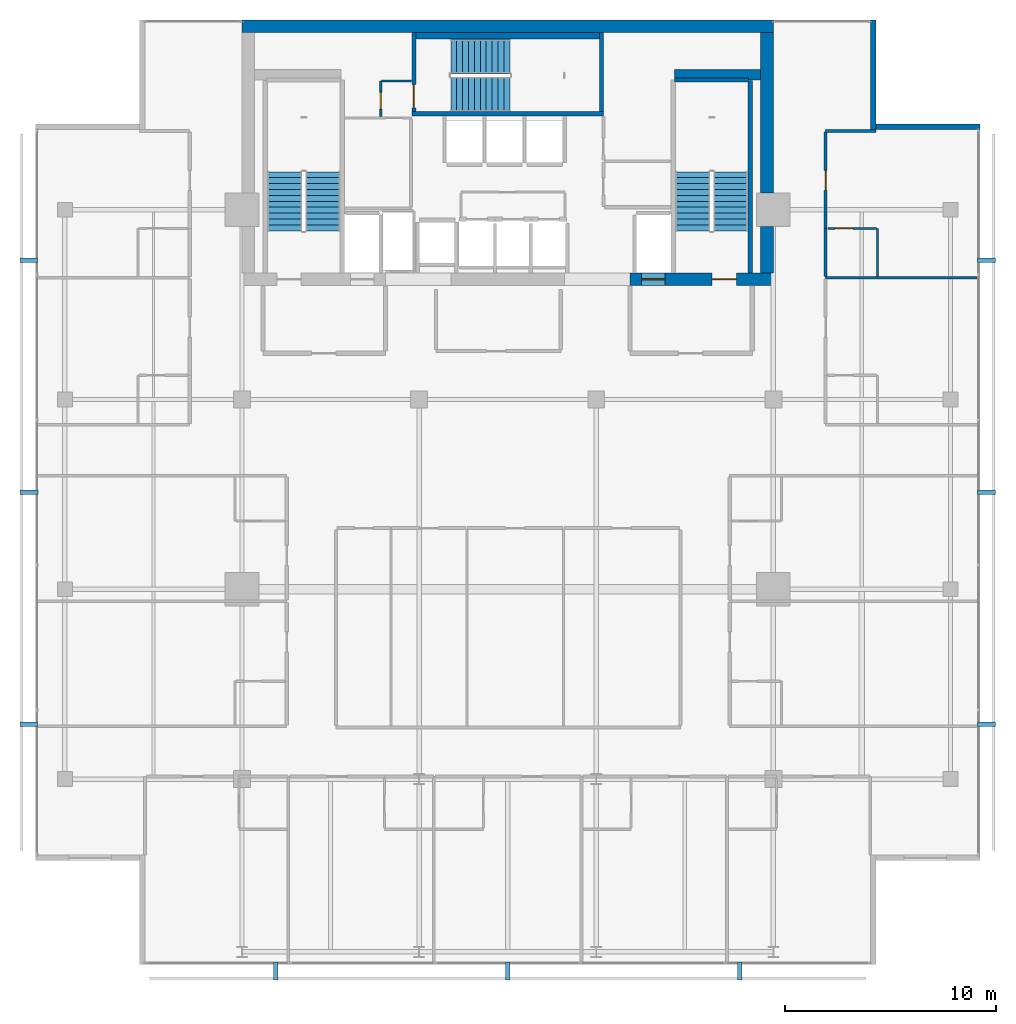
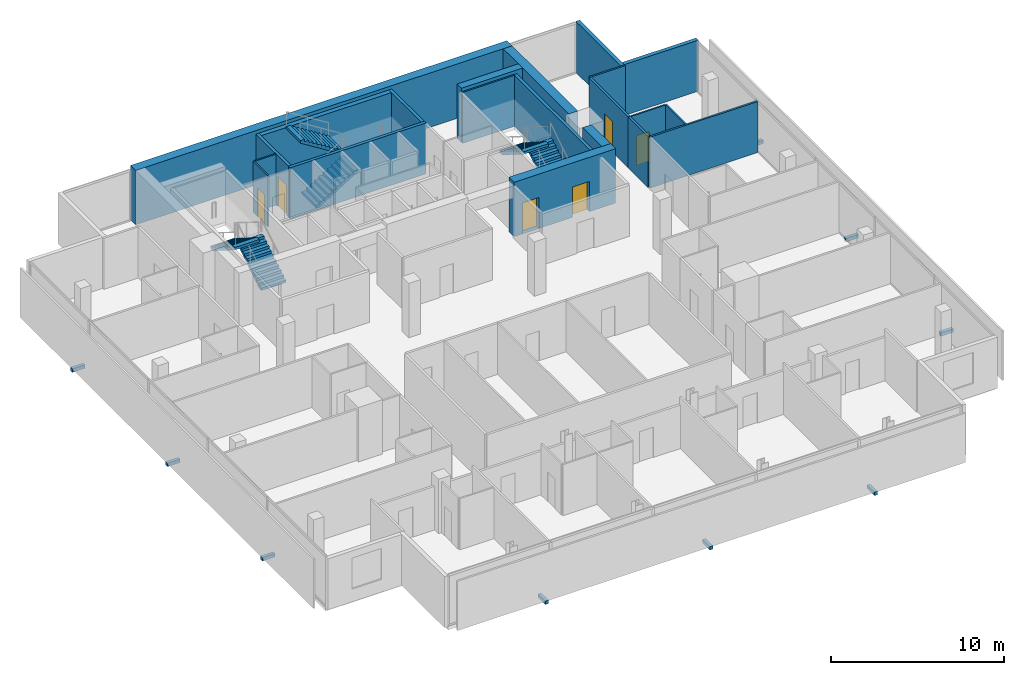
# One storey, part 23 of 25: 21 walls, 9 discrete accessories, 6 doors, 6 stair flights, 6 openings, 3 elements without a shape of their own.
"""IFC4 building model written with IfcOpenShell, lengths in metres."""

from ifc_helpers import new_model, si_unit, direction, frame, frame_2d, origin, origin_2d, place, context, subcontext, project, spatial, polyline, rectangle, outline, extrude, material, layer, layer_set, type_object, element, fill, aggregate, save


model = new_model("IFC4")

# Units and contexts
model_context = context("Model", 3, precision=1e-05, world=origin(), true_north=direction((0.0, 1.0)))
body_context = subcontext(model_context, "Body", "Model", "MODEL_VIEW")
ifc_project = project(units=[si_unit("LENGTHUNIT", "METRE"), si_unit("AREAUNIT", "SQUARE_METRE"), si_unit("VOLUMEUNIT", "CUBIC_METRE"), si_unit("PLANEANGLEUNIT", "RADIAN"), si_unit("MASSUNIT", "GRAM", prefix="KILO")], contexts=[model_context])

# Site, building, storey
site_placement = place(None, origin())
site = spatial("IfcSite", under=ifc_project, at=site_placement, CompositionType="ELEMENT")
building_placement = place(site_placement, origin())
building = spatial("IfcBuilding", under=site, at=building_placement, Name="Maruvema Waterfront Hotel and Observation Tower", CompositionType="ELEMENT")
storey_placement = place(building_placement, frame((0.0, 0.0, 270.199951171875)))
storey = spatial("IfcBuildingStorey", under=building, at=storey_placement, Name="L66", CompositionType="ELEMENT", Elevation=270.199951171875)

# Wall
ifc_material_1 = material(Name="Twin-stud acoustic gypsum drywall", Category="gypsum")
ifc_layer_1 = layer(ifc_material_1, 0.14990234375, Name="Acoustic Corridor and Suite Demising Wall 150 mm")
ifc_layer_set_1 = layer_set([ifc_layer_1], Name="Twin-stud acoustic gypsum drywall")
wall_type_1 = type_object("IfcWallType", Name="Acoustic Corridor and Suite Demising Wall 150 mm", PredefinedType="PARTITIONING", material=ifc_layer_set_1)
wall_1_placement = place(storey_placement, frame((52.8798828125, 41.82861328125, 0.0), z_axis=(0.0, 0.0, 1.0), x_axis=(0.0, 1.0, 0.0)))
element("IfcWall", 1, at=wall_1_placement, inside=storey, type_object=wall_type_1, Name="L66 Bath L66-NE2 Wall 101", PredefinedType="PARTITIONING", context=body_context, shape_type="SweptSolid", body=[
    extrude(rectangle(XDim=2.2900390625, YDim=0.14990234375, at=frame_2d((1.14501953125, 0.0))), origin(), (0.0, 0.0, 1.0), 3.610107421875),
])

# Wall, opening, door
wall_2_placement = place(storey_placement, frame((52.8798828125, 44.11865234375, 0.0), z_axis=(0.0, 0.0, 1.0), x_axis=(0.0, 1.0, 0.0)))
wall_2 = element("IfcWall", 2, at=wall_2_placement, inside=storey, type_object=wall_type_1, Name="L66 Room L66-NE2 Corridor Wall 102", PredefinedType="PARTITIONING", context=body_context, shape_type="SweptSolid", body=[
    extrude(rectangle(XDim=4.558837890625, YDim=0.14990234375, at=frame_2d((2.279296875, 0.0))), origin(), (0.0, 0.0, 1.0), 3.610107421875),
])
opening_1_placement = place(wall_2_placement, frame((1.804443359375, 0.0, 0.0)))
opening_1 = element("IfcOpeningElement", 3, at=opening_1_placement, cuts=wall_2, Name="Opening DR-095", PredefinedType="OPENING", context=body_context, shape_type="SweptSolid", body=[
    extrude(rectangle(XDim=0.949951171875, YDim=2.14990234375, at=frame_2d((0.47509765625, 1.074951171875))), frame((0.0, 0.0849609375, 0.0), z_axis=(0.0, -1.0, 0.0), x_axis=(1.0, 0.0, 0.0)), (0.0, 0.0, 1.0), 0.169921875),
])
ifc_material_2 = material(Name="Acoustic solid-core hardwood timber leaf", Category="wood")
door_type_1 = type_object("IfcDoorType", Name="Guestroom Entrance Fire Door 950x2150 mm", OperationType="NOTDEFINED", PredefinedType="DOOR", material=ifc_material_2)
door_1_placement = place(opening_1_placement, frame((0.949951171875, 0.0, 0.0), z_axis=(0.0, 0.0, 1.0), x_axis=(-1.0, 0.0, 0.0)))
door_1 = element("IfcDoor", 4, at=door_1_placement, inside=storey, type_object=door_type_1, Name="L66 Room L66-NE2 Entrance Door", OperationType="SINGLE_SWING_LEFT", OverallHeight=2.14990234375, OverallWidth=0.949951171875, PredefinedType="DOOR", context=body_context, shape_type="SweptSolid", body=[
    extrude(rectangle(XDim=0.949951171875, YDim=2.14990234375, at=frame_2d((0.47509765625, 1.074951171875))), frame((0.0, 0.02490234375, 0.0), z_axis=(0.0, -1.0, 0.0), x_axis=(1.0, 0.0, 0.0)), (0.0, 0.0, 1.0), 0.050048828125),
])
fill(opening_1, door_1)

# Walls
ifc_material_3 = material(Name="Precast concrete C45/55", Category="concrete")
ifc_layer_2 = layer(ifc_material_3, 0.300048828125, Name="Core Shaft Furring Wall 300 mm")
ifc_layer_set_2 = layer_set([ifc_layer_2], Name="Precast concrete C45/55")
wall_type_2 = type_object("IfcWallType", Name="Core Shaft Furring Wall 300 mm", PredefinedType="SOLIDWALL", material=ifc_layer_set_2)
wall_3_placement = place(storey_placement, frame((33.449951171875, 53.25, 0.0), z_axis=(0.0, 0.0, 1.0), x_axis=(1.0, 0.0, 0.0)))
element("IfcWall", 5, at=wall_3_placement, inside=storey, type_object=wall_type_2, Name="L66 Stairwell ST-02 North Furring Wall", PredefinedType="SOLIDWALL", context=body_context, shape_type="SweptSolid", body=[
    extrude(rectangle(XDim=8.699951171875, YDim=0.300048828125, at=frame_2d((4.35009765625, 0.0))), origin(), (0.0, 0.0, 1.0), 3.610107421875),
])
ifc_material_4 = material(Name="Precast concrete C45/55", Category="concrete")
ifc_layer_3 = layer(ifc_material_4, 0.199951171875, Name="Core Shaft and Stairwell Enclosure Wall 200 mm")
ifc_layer_set_3 = layer_set([ifc_layer_3], Name="Precast concrete C45/55")
wall_type_3 = type_object("IfcWallType", Name="Core Shaft and Stairwell Enclosure Wall 200 mm", PredefinedType="SOLIDWALL", material=ifc_layer_set_3)
wall_4_placement = place(storey_placement, frame((33.25, 49.550048828125, 0.0), z_axis=(0.0, 0.0, 1.0), x_axis=(1.0, 0.0, 0.0)))
element("IfcWall", 6, at=wall_4_placement, inside=storey, type_object=wall_type_3, Name="L66 Stairwell ST-02 Shaft Wall", PredefinedType="SOLIDWALL", context=body_context, shape_type="SweptSolid", body=[
    extrude(rectangle(XDim=9.10009765625, YDim=0.199951171875, at=frame_2d((4.550048828125, 0.0))), origin(), (0.0, 0.0, 1.0), 3.610107421875),
])
wall_5_placement = place(storey_placement, frame((42.25, 49.64990234375, 0.0), z_axis=(0.0, 0.0, 1.0), x_axis=(0.0, 1.0, 0.0)))
element("IfcWall", 7, at=wall_5_placement, inside=storey, type_object=wall_type_3, Name="L66 Stairwell ST-02 Shaft Wall", PredefinedType="SOLIDWALL", context=body_context, shape_type="SweptSolid", body=[
    extrude(rectangle(XDim=3.75, YDim=0.199951171875, at=frame_2d((1.875, 0.0))), origin(), (0.0, 0.0, 1.0), 3.610107421875),
])

# Wall, opening, door
wall_6_placement = place(storey_placement, frame((33.35009765625, 49.64990234375, 0.0), z_axis=(0.0, 0.0, 1.0), x_axis=(0.0, 1.0, 0.0)))
wall_6 = element("IfcWall", 8, at=wall_6_placement, inside=storey, type_object=wall_type_3, Name="L66 Stairwell ST-02 Shaft Wall", PredefinedType="SOLIDWALL", context=body_context, shape_type="SweptSolid", body=[
    extrude(rectangle(XDim=3.75, YDim=0.199951171875, at=frame_2d((1.875, 0.0))), origin(), (0.0, 0.0, 1.0), 3.610107421875),
])
opening_2_placement = place(wall_6_placement, frame((0.179931640625, 0.0, 0.0)))
opening_2 = element("IfcOpeningElement", 9, at=opening_2_placement, cuts=wall_6, Name="Opening SD-02", PredefinedType="OPENING", context=body_context, shape_type="SweptSolid", body=[
    extrude(rectangle(XDim=1.10009765625, YDim=2.14990234375, at=frame_2d((0.550048828125, 1.074951171875))), frame((0.0, 0.10986328125, 0.0), z_axis=(0.0, -1.0, 0.0), x_axis=(1.0, 0.0, 0.0)), (0.0, 0.0, 1.0), 0.219970703125),
])
ifc_material_5 = material(Name="Fire-rated galvanised steel leaf", Category="steel")
door_type_2 = type_object("IfcDoorType", Name="Central Exit Stair Fire Door 1100x2150 mm", OperationType="NOTDEFINED", PredefinedType="DOOR", material=ifc_material_5)
door_2_placement = place(opening_2_placement, frame((1.10009765625, 0.0, 0.0), z_axis=(0.0, 0.0, 1.0), x_axis=(-1.0, 0.0, 0.0)))
door_2 = element("IfcDoor", 10, at=door_2_placement, inside=storey, type_object=door_type_2, Name="L66 Exit Stair ST-02 Fire Door", OperationType="SINGLE_SWING_LEFT", OverallHeight=2.14990234375, OverallWidth=1.10009765625, PredefinedType="DOOR", context=body_context, shape_type="SweptSolid", body=[
    extrude(rectangle(XDim=1.10009765625, YDim=2.14990234375, at=frame_2d((0.550048828125, 1.074951171875))), frame((0.0, 0.02490234375, 0.0), z_axis=(0.0, -1.0, 0.0), x_axis=(1.0, 0.0, 0.0)), (0.0, 0.0, 1.0), 0.050048828125),
])
fill(opening_2, door_2)

# Walls
wall_7_placement = place(storey_placement, frame((49.300048828125, 42.0, 0.0), z_axis=(0.0, 0.0, 1.0), x_axis=(0.0, 1.0, 0.0)))
element("IfcWall", 11, at=wall_7_placement, inside=storey, type_object=wall_type_3, Name="L66 Stairwell ST-03 Shaft Lining Wall", PredefinedType="SOLIDWALL", context=body_context, shape_type="SweptSolid", body=[
    extrude(rectangle(XDim=9.1201171875, YDim=0.199951171875, at=frame_2d((4.56005859375, 0.0))), origin(), (0.0, 0.0, 1.0), 3.610107421875),
])
wall_8_placement = place(storey_placement, frame((45.719970703125, 51.14990234375, 0.0), z_axis=(0.0, 0.0, 1.0), x_axis=(1.0, 0.0, 0.0)))
element("IfcWall", 12, at=wall_8_placement, inside=storey, type_object=wall_type_3, Name="L66 Stairwell ST-03 Shaft Lining Wall", PredefinedType="SOLIDWALL", context=body_context, shape_type="SweptSolid", body=[
    extrude(rectangle(XDim=3.5, YDim=0.199951171875, at=frame_2d((1.75, 0.0))), origin(), (0.0, 0.0, 1.0), 3.610107421875),
])
ifc_material_6 = material(Name="Concrete C70/85", Category="concrete")
ifc_layer_4 = layer(ifc_material_6, 0.5, Name="Core Shear Wall 500 mm")
ifc_layer_set_4 = layer_set([ifc_layer_4], Name="Concrete C70/85")
wall_type_4 = type_object("IfcWallType", Name="Core Shear Wall 500 mm", PredefinedType="SHEAR", material=ifc_layer_set_4)
wall_9_placement = place(storey_placement, frame((45.699951171875, 51.39990234375, 0.0), z_axis=(0.0, 0.0, 1.0), x_axis=(1.0, 0.0, 0.0)))
element("IfcWall", 13, at=wall_9_placement, inside=storey, type_object=wall_type_4, Name="L66 Internal Core Shear Wall NE 500 mm", PredefinedType="SHEAR", context=body_context, shape_type="SweptSolid", body=[
    extrude(rectangle(XDim=4.10009765625, YDim=0.5, at=frame_2d((2.050048828125, 0.0))), origin(), (0.0, 0.0, 1.0), 3.85009765625),
])
ifc_material_7 = material(Name="Concrete C60/75", Category="concrete")
ifc_layer_5 = layer(ifc_material_7, 0.60009765625, Name="Core Shear Wall 600 mm")
ifc_layer_set_5 = layer_set([ifc_layer_5], Name="Concrete C60/75")
wall_type_5 = type_object("IfcWallType", Name="Core Shear Wall 600 mm", PredefinedType="SHEAR", material=ifc_layer_set_5)
wall_10_placement = place(storey_placement, frame((25.199951171875, 53.699951171875, 0.0), z_axis=(0.0, 0.0, 1.0), x_axis=(1.0, 0.0, 0.0)))
element("IfcWall", 14, at=wall_10_placement, inside=storey, type_object=wall_type_5, Name="L66 North Core Shear Wall", PredefinedType="SHEAR", context=body_context, shape_type="SweptSolid", body=[
    extrude(rectangle(XDim=25.199951171875, YDim=0.60009765625, at=frame_2d((12.60009765625, 0.0))), origin(), (0.0, 0.0, 1.0), 3.85009765625),
])

# Wall, openings, doors
wall_11_placement = place(storey_placement, frame((43.60009765625, 41.699951171875, 0.0), z_axis=(0.0, 0.0, 1.0), x_axis=(1.0, 0.0, 0.0)))
wall_11 = element("IfcWall", 15, at=wall_11_placement, inside=storey, type_object=wall_type_5, Name="L66 South-East Core Shear Wall", PredefinedType="SHEAR", context=body_context, shape_type="SweptSolid", body=[
    extrude(rectangle(XDim=6.7998046875, YDim=0.60009765625, at=frame_2d((3.39990234375, 0.0))), origin(), (0.0, 0.0, 1.0), 3.85009765625),
])
opening_3_placement = place(wall_11_placement, frame((3.89990234375, 0.0, 0.0)))
opening_3 = element("IfcOpeningElement", 16, at=opening_3_placement, cuts=wall_11, Name="Opening SD-01", PredefinedType="OPENING", context=body_context, shape_type="SweptSolid", body=[
    extrude(rectangle(XDim=1.14990234375, YDim=2.14990234375, at=frame_2d((0.574951171875, 1.074951171875))), frame((0.0, 0.31005859375, 0.0), z_axis=(0.0, -1.0, 0.0), x_axis=(1.0, 0.0, 0.0)), (0.0, 0.0, 1.0), 0.6201171875),
])
opening_4_placement = place(wall_11_placement, frame((0.550048828125, 0.0, 0.0)))
opening_4 = element("IfcOpeningElement", 17, at=opening_4_placement, cuts=wall_11, Name="Opening LD-03", PredefinedType="OPENING", context=body_context, shape_type="SweptSolid", body=[
    extrude(rectangle(XDim=1.10009765625, YDim=2.199951171875, at=frame_2d((0.550048828125, 1.10009765625))), frame((0.0, 0.31005859375, 0.0), z_axis=(0.0, -1.0, 0.0), x_axis=(1.0, 0.0, 0.0)), (0.0, 0.0, 1.0), 0.6201171875),
])
ifc_material_8 = material(Name="Fire-rated galvanised steel leaf", Category="steel")
door_type_3 = type_object("IfcDoorType", Name="Exit Stair Fire Door 1150x2150 mm", OperationType="NOTDEFINED", PredefinedType="DOOR", material=ifc_material_8)
door_3_placement = place(opening_3_placement, origin())
door_3 = element("IfcDoor", 18, at=door_3_placement, inside=storey, type_object=door_type_3, Name="L66 Exit Stair ST-03 Fire Door", OperationType="SINGLE_SWING_RIGHT", OverallHeight=2.14990234375, OverallWidth=1.14990234375, PredefinedType="DOOR", context=body_context, shape_type="SweptSolid", body=[
    extrude(rectangle(XDim=1.14990234375, YDim=2.14990234375, at=frame_2d((0.574951171875, 1.074951171875))), frame((0.0, 0.02490234375, 0.0), z_axis=(0.0, -1.0, 0.0), x_axis=(1.0, 0.0, 0.0)), (0.0, 0.0, 1.0), 0.050048828125),
])
fill(opening_3, door_3)
ifc_material_9 = material(Name="Brushed stainless steel Grade 316", Category="steel")
door_type_4 = type_object("IfcDoorType", Name="Firefighting Lift Sliding Landing Door 1100x2200 mm", OperationType="SLIDING_TO_LEFT", PredefinedType="DOOR", material=ifc_material_9)
door_4_placement = place(opening_4_placement, frame((1.10009765625, 0.0, 0.0), z_axis=(0.0, 0.0, 1.0), x_axis=(-1.0, 0.0, 0.0)))
door_4 = element("IfcDoor", 19, at=door_4_placement, inside=storey, type_object=door_type_4, Name="L66 Firefighting Lift FL-02 Landing Door", OperationType="SLIDING_TO_LEFT", OverallHeight=2.199951171875, OverallWidth=1.10009765625, PredefinedType="DOOR", context=body_context, shape_type="SweptSolid", body=[
    extrude(rectangle(XDim=1.10009765625, YDim=2.199951171875, at=frame_2d((0.550048828125, 1.10009765625))), frame((0.0, 0.02490234375, 0.0), z_axis=(0.0, -1.0, 0.0), x_axis=(1.0, 0.0, 0.0)), (0.0, 0.0, 1.0), 0.050048828125),
])
fill(opening_4, door_4)

# Walls
wall_12_placement = place(storey_placement, frame((50.10009765625, 42.0, 0.0), z_axis=(0.0, 0.0, 1.0), x_axis=(0.0, 1.0, 0.0)))
element("IfcWall", 20, at=wall_12_placement, inside=storey, type_object=wall_type_5, Name="L66 East-South Core Shear Wall", PredefinedType="SHEAR", context=body_context, shape_type="SweptSolid", body=[
    extrude(rectangle(XDim=2.199951171875, YDim=0.60009765625, at=frame_2d((1.10009765625, 0.0))), origin(), (0.0, 0.0, 1.0), 3.85009765625),
])
wall_13_placement = place(storey_placement, frame((50.10009765625, 45.800048828125, 0.0), z_axis=(0.0, 0.0, 1.0), x_axis=(0.0, 1.0, 0.0)))
element("IfcWall", 21, at=wall_13_placement, inside=storey, type_object=wall_type_5, Name="L66 East-North Core Shear Wall", PredefinedType="SHEAR", context=body_context, shape_type="SweptSolid", body=[
    extrude(rectangle(XDim=7.599853515625, YDim=0.60009765625, at=frame_2d((3.7998046875, 0.0))), origin(), (0.0, 0.0, 1.0), 3.85009765625),
])

# Wall, opening, door
ifc_material_10 = material(Name="Moisture-resistant cement-board drywall", Category="gypsum")
ifc_layer_6 = layer(ifc_material_10, 0.10009765625, Name="En-Suite Moisture-Resistant Partition 100 mm")
ifc_layer_set_6 = layer_set([ifc_layer_6], Name="Moisture-resistant cement-board drywall")
wall_type_6 = type_object("IfcWallType", Name="En-Suite Moisture-Resistant Partition 100 mm", PredefinedType="PARTITIONING", material=ifc_layer_set_6)
wall_14_placement = place(storey_placement, frame((31.780029296875, 49.419921875, 0.0), z_axis=(0.0, 0.0, 1.0), x_axis=(0.0, 1.0, 0.0)))
wall_14 = element("IfcWall", 22, at=wall_14_placement, inside=storey, type_object=wall_type_6, Name="L66 Freed B1 NW East Wall 016", PredefinedType="PARTITIONING", context=body_context, shape_type="SweptSolid", body=[
    extrude(rectangle(XDim=1.68017578125, YDim=0.10009765625, at=frame_2d((0.840087890625, 0.0))), origin(), (0.0, 0.0, 1.0), 3.610107421875),
])
opening_5_placement = place(wall_14_placement, frame((0.35009765625, 0.0, 0.0)))
opening_5 = element("IfcOpeningElement", 23, at=opening_5_placement, cuts=wall_14, Name="Opening DR-080", PredefinedType="OPENING", context=body_context, shape_type="SweptSolid", body=[
    extrude(rectangle(XDim=0.800048828125, YDim=2.050048828125, at=frame_2d((0.39990234375, 1.02490234375))), frame((0.0, 0.06005859375, 0.0), z_axis=(0.0, -1.0, 0.0), x_axis=(1.0, 0.0, 0.0)), (0.0, 0.0, 1.0), 0.1201171875),
])
ifc_material_11 = material(Name="Powder-coated steel access leaf", Category="steel")
door_type_5 = type_object("IfcDoorType", Name="Riser and Service Cupboard Door 800x2050 mm", OperationType="NOTDEFINED", PredefinedType="DOOR", material=ifc_material_11)
door_5_placement = place(opening_5_placement, origin())
door_5 = element("IfcDoor", 24, at=door_5_placement, inside=storey, type_object=door_type_5, Name="L66 Guest Floor Pantry Door", OperationType="SINGLE_SWING_RIGHT", OverallHeight=2.050048828125, OverallWidth=0.800048828125, PredefinedType="DOOR", context=body_context, shape_type="SweptSolid", body=[
    extrude(rectangle(XDim=0.800048828125, YDim=2.050048828125, at=frame_2d((0.39990234375, 1.02490234375))), frame((0.0, 0.02490234375, 0.0), z_axis=(0.0, -1.0, 0.0), x_axis=(1.0, 0.0, 0.0)), (0.0, 0.0, 1.0), 0.050048828125),
])
fill(opening_5, door_5)

# Walls
wall_15_placement = place(storey_placement, frame((31.820068359375, 51.10009765625, 0.0), z_axis=(0.0, 0.0, 1.0), x_axis=(1.0, 0.0, 0.0)))
element("IfcWall", 25, at=wall_15_placement, inside=storey, type_object=wall_type_6, Name="L66 Freed B1 Vestibule North Wall 017", PredefinedType="PARTITIONING", context=body_context, shape_type="SweptSolid", body=[
    extrude(rectangle(XDim=1.419921875, YDim=0.10009765625, at=frame_2d((0.7099609375, 0.0))), origin(), (0.0, 0.0, 1.0), 3.610107421875),
])
wall_16_placement = place(storey_placement, frame((55.330078125, 41.82861328125, 0.0), z_axis=(0.0, 0.0, 1.0), x_axis=(0.0, 1.0, 0.0)))
element("IfcWall", 26, at=wall_16_placement, inside=storey, type_object=wall_type_6, Name="L66 En-Suite L66-NE2 E 103", PredefinedType="PARTITIONING", context=body_context, shape_type="SweptSolid", body=[
    extrude(rectangle(XDim=2.2900390625, YDim=0.10009765625, at=frame_2d((1.14501953125, 0.0))), origin(), (0.0, 0.0, 1.0), 3.610107421875),
])

# Wall, opening, door
wall_17_placement = place(storey_placement, frame((52.97998046875, 44.11865234375, 0.0), z_axis=(0.0, 0.0, 1.0), x_axis=(1.0, 0.0, 0.0)))
wall_17 = element("IfcWall", 27, at=wall_17_placement, inside=storey, type_object=wall_type_6, Name="L66 En-Suite L66-NE2 N 104", PredefinedType="PARTITIONING", context=body_context, shape_type="SweptSolid", body=[
    extrude(rectangle(XDim=2.300048828125, YDim=0.10009765625, at=frame_2d((1.14990234375, 0.0))), origin(), (0.0, 0.0, 1.0), 3.610107421875),
])
opening_6_placement = place(wall_17_placement, frame((0.35009765625, 0.0, 0.0)))
opening_6 = element("IfcOpeningElement", 28, at=opening_6_placement, cuts=wall_17, Name="Opening DR-085", PredefinedType="OPENING", context=body_context, shape_type="SweptSolid", body=[
    extrude(rectangle(XDim=0.85009765625, YDim=2.10009765625, at=frame_2d((0.425048828125, 1.050048828125))), frame((0.0, 0.06005859375, 0.0), z_axis=(0.0, -1.0, 0.0), x_axis=(1.0, 0.0, 0.0)), (0.0, 0.0, 1.0), 0.1201171875),
])
ifc_material_12 = material(Name="Moisture-resistant solid timber leaf", Category="wood")
door_type_6 = type_object("IfcDoorType", Name="En-Suite Bathroom Door 850x2100 mm", OperationType="NOTDEFINED", PredefinedType="DOOR", material=ifc_material_12)
door_6_placement = place(opening_6_placement, origin())
door_6 = element("IfcDoor", 29, at=door_6_placement, inside=storey, type_object=door_type_6, Name="L66 En-Suite L66-NE2 Door", OperationType="SINGLE_SWING_RIGHT", OverallHeight=2.10009765625, OverallWidth=0.85009765625, PredefinedType="DOOR", context=body_context, shape_type="SweptSolid", body=[
    extrude(rectangle(XDim=0.85009765625, YDim=2.10009765625, at=frame_2d((0.425048828125, 1.050048828125))), frame((0.0, 0.02490234375, 0.0), z_axis=(0.0, -1.0, 0.0), x_axis=(1.0, 0.0, 0.0)), (0.0, 0.0, 1.0), 0.050048828125),
])
fill(opening_6, door_6)

# Walls
ifc_material_13 = material(Name="Precast concrete C45/55 with honed Pernambuco granite facing", Category="masonry")
ifc_layer_7 = layer(ifc_material_13, 0.260009765625, Name="Exterior Granite Clad Spandrel and Pier Wall 260 mm")
ifc_layer_set_7 = layer_set([ifc_layer_7], Name="Precast concrete C45/55 with honed Pernambuco granite facing")
wall_type_7 = type_object("IfcWallType", Name="Exterior Granite Clad Spandrel and Pier Wall 260 mm", PredefinedType="SOLIDWALL", material=ifc_layer_set_7)
for number, where, z_axis, x_axis, name in (
    (30, (55.1298828125, 54.0, 0.0), (0.0, 0.0, 1.0), (0.0, -1.0, 0.0), "L66 Corner Notch Granite Pier Wall NE1"),
    (31, (55.0, 48.929931640625, 0.0), (0.0, 0.0, 1.0), (1.0, 0.0, 0.0), "L66 Corner Notch Granite Pier Wall NE2"),
):
    element("IfcWall", number, at=place(storey_placement, frame(where, z_axis=z_axis, x_axis=x_axis)), inside=storey, type_object=wall_type_7, Name=name, PredefinedType="SOLIDWALL", context=body_context, shape_type="SweptSolid", body=[
        extrude(rectangle(XDim=5.199951171875, YDim=0.260009765625, at=frame_2d((2.60009765625, 0.0))), origin(), (0.0, 0.0, 1.0), 3.610107421875),
    ])
ifc_material_14 = material(Name="Acoustic gypsum plasterboard drywall", Category="gypsum")
ifc_layer_8 = layer(ifc_material_14, 0.125, Name="Guestroom Acoustic Demising Wall 125 mm")
ifc_layer_set_8 = layer_set([ifc_layer_8], Name="Acoustic gypsum plasterboard drywall")
wall_type_8 = type_object("IfcWallType", Name="Guestroom Acoustic Demising Wall 125 mm", PredefinedType="PARTITIONING", material=ifc_layer_set_8)
wall_18_placement = place(storey_placement, frame((52.8798828125, 48.737548828125, 0.0), z_axis=(0.0, 0.0, 1.0), x_axis=(1.0, 0.0, 0.0)))
element("IfcWall", 32, at=wall_18_placement, inside=storey, type_object=wall_type_8, Name="L66 Z3 NE Top End 086", PredefinedType="PARTITIONING", context=body_context, shape_type="SweptSolid", body=[
    extrude(rectangle(XDim=2.380126953125, YDim=0.125, at=frame_2d((1.18994140625, 0.0))), origin(), (0.0, 0.0, 1.0), 3.610107421875),
])
wall_19_placement = place(storey_placement, frame((52.8798828125, 41.768798828125, 0.0), z_axis=(0.0, 0.0, 1.0), x_axis=(1.0, 0.0, 0.0)))
element("IfcWall", 33, at=wall_19_placement, inside=storey, type_object=wall_type_8, Name="L66 Z3 NE Demising 2 096", PredefinedType="PARTITIONING", context=body_context, shape_type="SweptSolid", body=[
    extrude(rectangle(XDim=7.22021484375, YDim=0.125, at=frame_2d((3.610107421875, 0.0))), origin(), (0.0, 0.0, 1.0), 3.610107421875),
])

# Stair, stair flights
ifc_material_15 = material(Name="Concrete C50/60", Category="concrete")
stair_type = type_object("IfcStairType", Name="Dogleg Exit Stair 1650 mm (22R x 175.0 mm)", PredefinedType="HALF_TURN_STAIR", material=ifc_material_15)
stair_1_placement = place(storey_placement, origin())
stair_1 = element("IfcStair", 34, at=stair_1_placement, inside=storey, type_object=stair_type, Name="L66 ST-01", PredefinedType="HALF_TURN_STAIR")
ifc_material_16 = material(Name="Concrete C50/60", Category="concrete")
stair_flight_type = type_object("IfcStairFlightType", Name="Reinforced Concrete Stair Flight 1650 mm (11R x 175.0 mm)", PredefinedType="STRAIGHT", material=ifc_material_16)
stair_flight_1_placement = place(storey_placement, frame((29.02490234375, 44.0, 0.0), z_axis=(0.0, 0.0, 1.0), x_axis=(0.0, 1.0, 0.0)))
stair_flight_1 = element("IfcStairFlight", 35, at=stair_flight_1_placement, type_object=stair_flight_type, Name="ST-01 flight 1", NumberOfRisers=11, NumberOfTreads=10, PredefinedType="STRAIGHT", RiserHeight=0.175, TreadLength=0.28, context=body_context, shape_type="SweptSolid", body=[
    extrude(outline(polyline([(0.0, 0.0), (0.0, 0.175048828125), (0.280029296875, 0.175048828125), (0.280029296875, 0.35009765625), (0.56005859375, 0.35009765625), (0.56005859375, 0.52490234375), (0.840087890625, 0.52490234375), (0.840087890625, 0.699951171875), (1.1201171875, 0.699951171875), (1.1201171875, 0.875), (1.39990234375, 0.875), (1.39990234375, 1.050048828125), (1.679931640625, 1.050048828125), (1.679931640625, 1.22509765625), (1.9599609375, 1.22509765625), (1.9599609375, 1.39990234375), (2.239990234375, 1.39990234375), (2.239990234375, 1.574951171875), (2.52001953125, 1.574951171875), (2.52001953125, 1.75), (2.800048828125, 1.75), (2.800048828125, 1.925048828125), (2.800048828125, 1.5732421875), (0.28271484375, 0.0), (0.0, 0.0)])), frame((0.0, 0.824951171875, 0.0), z_axis=(0.0, -1.0, 0.0), x_axis=(1.0, 0.0, 0.0)), (0.0, 0.0, 1.0), 1.64990234375),
])
stair_flight_2_placement = place(storey_placement, frame((27.22509765625, 46.800048828125, 1.925048828125), z_axis=(0.0, 0.0, 1.0), x_axis=(0.0, -1.0, 0.0)))
stair_flight_2 = element("IfcStairFlight", 36, at=stair_flight_2_placement, type_object=stair_flight_type, Name="ST-01 flight 2", NumberOfRisers=11, NumberOfTreads=10, PredefinedType="STRAIGHT", RiserHeight=0.175, TreadLength=0.28, context=body_context, shape_type="SweptSolid", body=[
    extrude(outline(polyline([(0.0, 0.0), (0.0, 0.175048828125), (0.280029296875, 0.175048828125), (0.280029296875, 0.35009765625), (0.56005859375, 0.35009765625), (0.56005859375, 0.52490234375), (0.840087890625, 0.52490234375), (0.840087890625, 0.699951171875), (1.1201171875, 0.699951171875), (1.1201171875, 0.875), (1.39990234375, 0.875), (1.39990234375, 1.050048828125), (1.679931640625, 1.050048828125), (1.679931640625, 1.22509765625), (1.9599609375, 1.22509765625), (1.9599609375, 1.39990234375), (2.239990234375, 1.39990234375), (2.239990234375, 1.574951171875), (2.52001953125, 1.574951171875), (2.52001953125, 1.75), (2.800048828125, 1.75), (2.800048828125, 1.925048828125), (2.800048828125, 1.5732421875), (0.28271484375, 0.0), (0.0, 0.0)])), frame((0.0, 0.824951171875, 0.0), z_axis=(0.0, -1.0, 0.0), x_axis=(1.0, 0.0, 0.0)), (0.0, 0.0, 1.0), 1.64990234375),
])
aggregate(stair_1, [stair_flight_1, stair_flight_2])

stair_2_placement = place(storey_placement, origin())
stair_2 = element("IfcStair", 37, at=stair_2_placement, inside=storey, type_object=stair_type, Name="L66 ST-02", PredefinedType="HALF_TURN_STAIR")
stair_flight_3_placement = place(storey_placement, frame((35.10009765625, 50.47509765625, 0.0), z_axis=(0.0, 0.0, 1.0), x_axis=(1.0, 0.0, 0.0)))
stair_flight_3 = element("IfcStairFlight", 38, at=stair_flight_3_placement, type_object=stair_flight_type, Name="ST-02 flight 1", NumberOfRisers=11, NumberOfTreads=10, PredefinedType="STRAIGHT", RiserHeight=0.175, TreadLength=0.28, context=body_context, shape_type="SweptSolid", body=[
    extrude(outline(polyline([(0.0, 0.0), (0.0, 0.175048828125), (0.280029296875, 0.175048828125), (0.280029296875, 0.35009765625), (0.56005859375, 0.35009765625), (0.56005859375, 0.52490234375), (0.840087890625, 0.52490234375), (0.840087890625, 0.699951171875), (1.1201171875, 0.699951171875), (1.1201171875, 0.875), (1.39990234375, 0.875), (1.39990234375, 1.050048828125), (1.679931640625, 1.050048828125), (1.679931640625, 1.22509765625), (1.9599609375, 1.22509765625), (1.9599609375, 1.39990234375), (2.239990234375, 1.39990234375), (2.239990234375, 1.574951171875), (2.52001953125, 1.574951171875), (2.52001953125, 1.75), (2.800048828125, 1.75), (2.800048828125, 1.925048828125), (2.800048828125, 1.5732421875), (0.28271484375, 0.0), (0.0, 0.0)])), frame((0.0, 0.824951171875, 0.0), z_axis=(0.0, -1.0, 0.0), x_axis=(1.0, 0.0, 0.0)), (0.0, 0.0, 1.0), 1.64990234375),
])
stair_flight_4_placement = place(storey_placement, frame((37.89990234375, 52.27490234375, 1.925048828125), z_axis=(0.0, 0.0, 1.0), x_axis=(-1.0, 0.0, 0.0)))
stair_flight_4 = element("IfcStairFlight", 39, at=stair_flight_4_placement, type_object=stair_flight_type, Name="ST-02 flight 2", NumberOfRisers=11, NumberOfTreads=10, PredefinedType="STRAIGHT", RiserHeight=0.175, TreadLength=0.28, context=body_context, shape_type="SweptSolid", body=[
    extrude(outline(polyline([(0.0, 0.0), (0.0, 0.175048828125), (0.280029296875, 0.175048828125), (0.280029296875, 0.35009765625), (0.56005859375, 0.35009765625), (0.56005859375, 0.52490234375), (0.840087890625, 0.52490234375), (0.840087890625, 0.699951171875), (1.1201171875, 0.699951171875), (1.1201171875, 0.875), (1.39990234375, 0.875), (1.39990234375, 1.050048828125), (1.679931640625, 1.050048828125), (1.679931640625, 1.22509765625), (1.9599609375, 1.22509765625), (1.9599609375, 1.39990234375), (2.239990234375, 1.39990234375), (2.239990234375, 1.574951171875), (2.52001953125, 1.574951171875), (2.52001953125, 1.75), (2.800048828125, 1.75), (2.800048828125, 1.925048828125), (2.800048828125, 1.5732421875), (0.28271484375, 0.0), (0.0, 0.0)])), frame((0.0, 0.824951171875, 0.0), z_axis=(0.0, -1.0, 0.0), x_axis=(1.0, 0.0, 0.0)), (0.0, 0.0, 1.0), 1.64990234375),
])
aggregate(stair_2, [stair_flight_3, stair_flight_4])

stair_3_placement = place(storey_placement, origin())
stair_3 = element("IfcStair", 40, at=stair_3_placement, inside=storey, type_object=stair_type, Name="L66 ST-03", PredefinedType="HALF_TURN_STAIR")
stair_flight_5_placement = place(storey_placement, frame((48.375, 44.0, 0.0), z_axis=(0.0, 0.0, 1.0), x_axis=(0.0, 1.0, 0.0)))
stair_flight_5 = element("IfcStairFlight", 41, at=stair_flight_5_placement, type_object=stair_flight_type, Name="ST-03 flight 1", NumberOfRisers=11, NumberOfTreads=10, PredefinedType="STRAIGHT", RiserHeight=0.175, TreadLength=0.28, context=body_context, shape_type="SweptSolid", body=[
    extrude(outline(polyline([(0.0, 0.0), (0.0, 0.175048828125), (0.280029296875, 0.175048828125), (0.280029296875, 0.35009765625), (0.56005859375, 0.35009765625), (0.56005859375, 0.52490234375), (0.840087890625, 0.52490234375), (0.840087890625, 0.699951171875), (1.1201171875, 0.699951171875), (1.1201171875, 0.875), (1.39990234375, 0.875), (1.39990234375, 1.050048828125), (1.679931640625, 1.050048828125), (1.679931640625, 1.22509765625), (1.9599609375, 1.22509765625), (1.9599609375, 1.39990234375), (2.239990234375, 1.39990234375), (2.239990234375, 1.574951171875), (2.52001953125, 1.574951171875), (2.52001953125, 1.75), (2.800048828125, 1.75), (2.800048828125, 1.925048828125), (2.800048828125, 1.5732421875), (0.28271484375, 0.0), (0.0, 0.0)])), frame((0.0, 0.824951171875, 0.0), z_axis=(0.0, -1.0, 0.0), x_axis=(1.0, 0.0, 0.0)), (0.0, 0.0, 1.0), 1.64990234375),
])
stair_flight_6_placement = place(storey_placement, frame((46.574951171875, 46.800048828125, 1.925048828125), z_axis=(0.0, 0.0, 1.0), x_axis=(0.0, -1.0, 0.0)))
stair_flight_6 = element("IfcStairFlight", 42, at=stair_flight_6_placement, type_object=stair_flight_type, Name="ST-03 flight 2", NumberOfRisers=11, NumberOfTreads=10, PredefinedType="STRAIGHT", RiserHeight=0.175, TreadLength=0.28, context=body_context, shape_type="SweptSolid", body=[
    extrude(outline(polyline([(0.0, 0.0), (0.0, 0.175048828125), (0.280029296875, 0.175048828125), (0.280029296875, 0.35009765625), (0.56005859375, 0.35009765625), (0.56005859375, 0.52490234375), (0.840087890625, 0.52490234375), (0.840087890625, 0.699951171875), (1.1201171875, 0.699951171875), (1.1201171875, 0.875), (1.39990234375, 0.875), (1.39990234375, 1.050048828125), (1.679931640625, 1.050048828125), (1.679931640625, 1.22509765625), (1.9599609375, 1.22509765625), (1.9599609375, 1.39990234375), (2.239990234375, 1.39990234375), (2.239990234375, 1.574951171875), (2.52001953125, 1.574951171875), (2.52001953125, 1.75), (2.800048828125, 1.75), (2.800048828125, 1.925048828125), (2.800048828125, 1.5732421875), (0.28271484375, 0.0), (0.0, 0.0)])), frame((0.0, 0.824951171875, 0.0), z_axis=(0.0, -1.0, 0.0), x_axis=(1.0, 0.0, 0.0)), (0.0, 0.0, 1.0), 1.64990234375),
])
aggregate(stair_3, [stair_flight_5, stair_flight_6])

# Discrete accessories
ifc_material_17 = material(Name="Duplex stainless steel Grade 2205", Category="steel")
discrete_accessory_type = type_object("IfcDiscreteAccessoryType", Name="Double-Skin Cavity Stainless Outrigger Bracket", PredefinedType="BRACKET", material=ifc_material_17)
for number, where, z_axis, x_axis, name in (
    (43, (26.7919921875, 8.89990234375, -0.14013671875), (0.0, 0.0, 1.0), (1.0, 0.0, 0.0), "L66 Outer Skin Support Bracket 1"),
    (44, (37.800048828125, 8.89990234375, -0.14013671875), (0.0, 0.0, 1.0), (1.0, 0.0, 0.0), "L66 Outer Skin Support Bracket 2"),
    (45, (48.80810546875, 8.89990234375, -0.14013671875), (0.0, 0.0, 1.0), (1.0, 0.0, 0.0), "L66 Outer Skin Support Bracket 3"),
    (46, (60.5, 20.592041015625, -0.14013671875), (0.0, 0.0, 1.0), (0.0, 1.0, 0.0), "L66 Outer Skin Support Bracket 1"),
    (47, (60.5, 31.60009765625, -0.14013671875), (0.0, 0.0, 1.0), (0.0, 1.0, 0.0), "L66 Outer Skin Support Bracket 2"),
    (48, (60.5, 42.60791015625, -0.14013671875), (0.0, 0.0, 1.0), (0.0, 1.0, 0.0), "L66 Outer Skin Support Bracket 3"),
    (49, (15.10009765625, 42.60791015625, -0.14013671875), (0.0, 0.0, 1.0), (0.0, -1.0, 0.0), "L66 Outer Skin Support Bracket 1"),
    (50, (15.10009765625, 31.60009765625, -0.14013671875), (0.0, 0.0, 1.0), (0.0, -1.0, 0.0), "L66 Outer Skin Support Bracket 2"),
    (51, (15.10009765625, 20.592041015625, -0.14013671875), (0.0, 0.0, 1.0), (0.0, -1.0, 0.0), "L66 Outer Skin Support Bracket 3"),
):
    element("IfcDiscreteAccessory", number, at=place(storey_placement, frame(where, z_axis=z_axis, x_axis=x_axis)), inside=storey, type_object=discrete_accessory_type, Name=name, PredefinedType="BRACKET", context=body_context, shape_type="SweptSolid", body=[
        extrude(rectangle(XDim=0.219970703125, YDim=0.860107421875, at=origin_2d()), origin(), (0.0, 0.0, 1.0), 0.239990234375),
    ])

save(model, "model.ifc")
